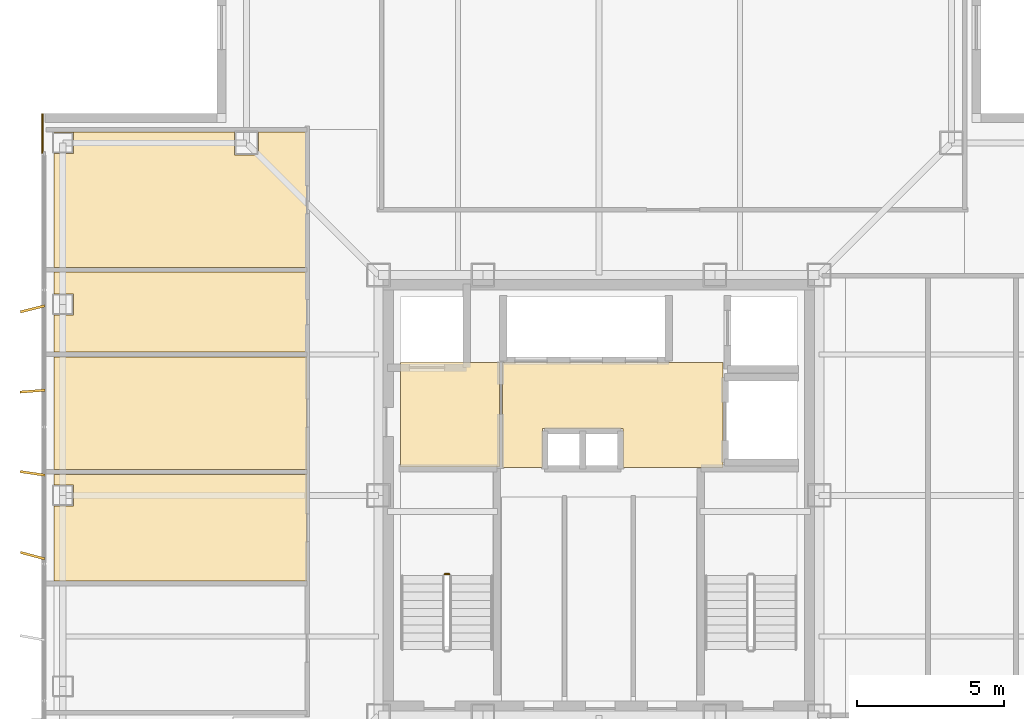
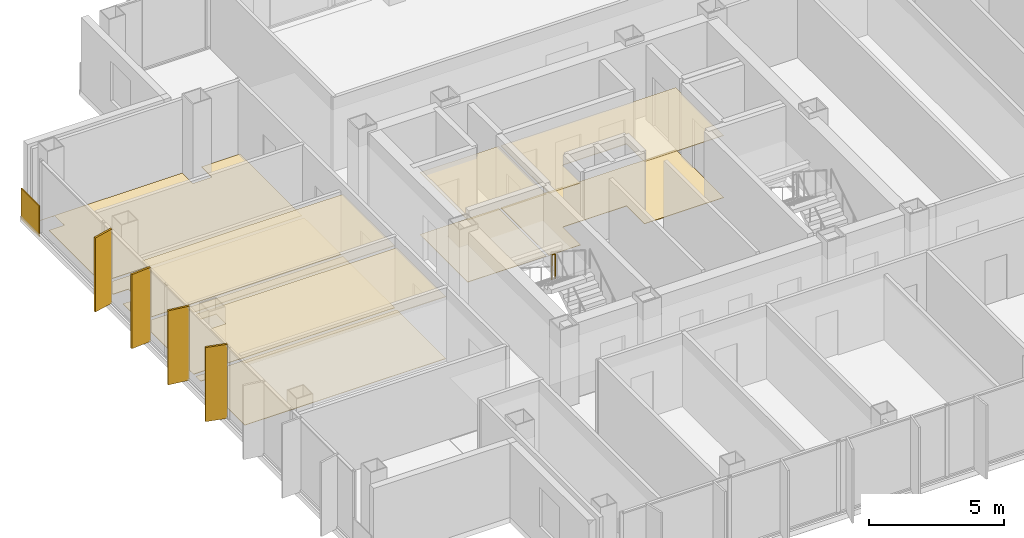
# One storey, part 12 of 15: 11 coverings, 4 shading devices, 1 railing.
"""IFC4 building model written with IfcOpenShell, lengths in metres."""

from ifc_helpers import new_model, si_unit, direction, frame, frame_2d, origin, origin_2d, place, context, subcontext, project, spatial, polyline, rectangle, circle, outline, extrude, material, layer, layer_set, type_object, element, save


model = new_model("IFC4")

# Units and contexts
model_context = context("Model", 3, precision=1e-05, world=origin(), true_north=direction((0.0, 1.0)))
body_context = subcontext(model_context, "Body", "Model", "MODEL_VIEW")
ifc_project = project(units=[si_unit("LENGTHUNIT", "METRE"), si_unit("AREAUNIT", "SQUARE_METRE"), si_unit("VOLUMEUNIT", "CUBIC_METRE"), si_unit("PLANEANGLEUNIT", "RADIAN"), si_unit("MASSUNIT", "GRAM", prefix="KILO")], contexts=[model_context])

# Site, building, storey
site_placement = place(None, origin())
site = spatial("IfcSite", under=ifc_project, at=site_placement, CompositionType="ELEMENT")
building_placement = place(site_placement, origin())
building = spatial("IfcBuilding", under=site, at=building_placement, Name="Trevonay Congress Spire", CompositionType="ELEMENT")
storey_placement = place(building_placement, frame((0.0, 0.0, 293.60009765625)))
storey = spatial("IfcBuildingStorey", under=building, at=storey_placement, Name="L77", CompositionType="ELEMENT", Elevation=293.60009765625)

# Coverings
ifc_material_1 = material(Name="Acoustic Mineral Fibre Board", Category="gypsum")
ifc_layer_1 = layer(ifc_material_1, 0.02490234375, Name="Acoustic Mineral Fibre Board")
ifc_layer_set_1 = layer_set([ifc_layer_1], Name="Acoustic Mineral Fibre Board")
covering_type_1 = type_object("IfcCoveringType", Name="COV-CEIL-ACOUSTIC", PredefinedType="CEILING", material=ifc_layer_set_1)
covering_1_placement = place(storey_placement, frame((0.0, 0.0, 2.809814453125)))
element("IfcCovering", 1, at=covering_1_placement, inside=storey, type_object=covering_type_1, Name="L77 Firefighting Lift Lobby West acoustic suspended ceiling", PredefinedType="CEILING", context=body_context, shape_type="SweptSolid", body=[
    extrude(outline(polyline([(-6.75, 0.9599609375), (-3.3798828125, 0.9599609375), (-3.3798828125, 4.52001953125), (-6.75, 4.52001953125), (-6.75, 0.9599609375)])), origin(), (0.0, 0.0, 1.0), 0.025146484375),
])
covering_2_placement = place(storey_placement, frame((0.0, 0.0, 2.809814453125)))
element("IfcCovering", 2, at=covering_2_placement, inside=storey, type_object=covering_type_1, Name="L77 Central and High-Rise Passenger Lift Lobby acoustic suspended ceiling", PredefinedType="CEILING", context=body_context, shape_type="SweptSolid", body=[
    extrude(outline(polyline([(-3.280029296875, 0.949951171875), (-1.919921875, 0.949951171875), (-1.919921875, 2.280029296875), (0.820068359375, 2.280029296875), (0.820068359375, 0.949951171875), (4.219970703125, 0.949951171875), (4.219970703125, 4.52001953125), (-3.280029296875, 4.52001953125), (-3.280029296875, 0.949951171875)])), origin(), (0.0, 0.0, 1.0), 0.025146484375),
])
covering_3_placement = place(storey_placement, frame((0.0, 0.0, 2.809814453125)))
element("IfcCovering", 3, at=covering_3_placement, inside=storey, type_object=covering_type_1, Name="L77 Champagne Aperitif Bar acoustic suspended ceiling", PredefinedType="CEILING", context=body_context, shape_type="SweptSolid", body=[
    extrude(outline(polyline([(-18.550048828125, 0.719970703125), (-9.929931640625, 0.719970703125), (-9.929931640625, -2.919921875), (-18.550048828125, -2.919921875), (-18.550048828125, -0.360107421875), (-17.889892578125, -0.360107421875), (-17.889892578125, 0.360107421875), (-18.550048828125, 0.360107421875), (-18.550048828125, 0.719970703125)])), origin(), (0.0, 0.0, 1.0), 0.025146484375),
])
covering_4_placement = place(storey_placement, frame((0.0, 0.0, 2.809814453125)))
element("IfcCovering", 4, at=covering_4_placement, inside=storey, type_object=covering_type_1, Name="L77 Cold Larder Kitchen acoustic suspended ceiling", PredefinedType="CEILING", context=body_context, shape_type="SweptSolid", body=[
    extrude(outline(polyline([(-18.550048828125, 0.8798828125), (-9.929931640625, 0.8798828125), (-9.929931640625, 4.719970703125), (-18.550048828125, 4.719970703125), (-18.550048828125, 0.8798828125)])), origin(), (0.0, 0.0, 1.0), 0.025146484375),
])
ifc_material_2 = material(Name="Polished Granite Floor Tile", Category="masonry")
ifc_layer_2 = layer(ifc_material_2, 0.02001953125, Name="Polished Granite Floor Tile")
ifc_layer_set_2 = layer_set([ifc_layer_2], Name="Polished Granite Floor Tile")
covering_type_2 = type_object("IfcCoveringType", Name="COV-FLOOR-STONE", PredefinedType="FLOORING", material=ifc_layer_set_2)
covering_5_placement = place(storey_placement, origin())
element("IfcCovering", 5, at=covering_5_placement, inside=storey, type_object=covering_type_2, Name="L77 Firefighting Lift Lobby West floor finish", PredefinedType="FLOORING", context=body_context, shape_type="SweptSolid", body=[
    extrude(outline(polyline([(-6.75, 0.9599609375), (-3.3798828125, 0.9599609375), (-3.3798828125, 4.52001953125), (-6.75, 4.52001953125), (-6.75, 0.9599609375)])), origin(), (0.0, 0.0, 1.0), 0.02001953125),
])
covering_6_placement = place(storey_placement, origin())
element("IfcCovering", 6, at=covering_6_placement, inside=storey, type_object=covering_type_2, Name="L77 Central and High-Rise Passenger Lift Lobby floor finish", PredefinedType="FLOORING", context=body_context, shape_type="SweptSolid", body=[
    extrude(outline(polyline([(-3.280029296875, 0.949951171875), (-1.919921875, 0.949951171875), (-1.919921875, 2.280029296875), (0.820068359375, 2.280029296875), (0.820068359375, 0.949951171875), (4.219970703125, 0.949951171875), (4.219970703125, 4.52001953125), (-3.280029296875, 4.52001953125), (-3.280029296875, 0.949951171875)])), origin(), (0.0, 0.0, 1.0), 0.02001953125),
])
covering_7_placement = place(storey_placement, origin())
element("IfcCovering", 7, at=covering_7_placement, inside=storey, type_object=covering_type_2, Name="L77 Champagne Aperitif Bar floor finish", PredefinedType="FLOORING", context=body_context, shape_type="SweptSolid", body=[
    extrude(outline(polyline([(-18.550048828125, 0.719970703125), (-9.929931640625, 0.719970703125), (-9.929931640625, -2.919921875), (-18.550048828125, -2.919921875), (-18.550048828125, -0.360107421875), (-17.889892578125, -0.360107421875), (-17.889892578125, 0.360107421875), (-18.550048828125, 0.360107421875), (-18.550048828125, 0.719970703125)])), origin(), (0.0, 0.0, 1.0), 0.02001953125),
])
covering_8_placement = place(storey_placement, origin())
element("IfcCovering", 8, at=covering_8_placement, inside=storey, type_object=covering_type_2, Name="L77 Cold Larder Kitchen floor finish", PredefinedType="FLOORING", context=body_context, shape_type="SweptSolid", body=[
    extrude(outline(polyline([(-18.550048828125, 0.8798828125), (-9.929931640625, 0.8798828125), (-9.929931640625, 4.719970703125), (-18.550048828125, 4.719970703125), (-18.550048828125, 0.8798828125)])), origin(), (0.0, 0.0, 1.0), 0.02001953125),
])
covering_9_placement = place(storey_placement, origin())
element("IfcCovering", 9, at=covering_9_placement, inside=storey, type_object=covering_type_2, Name="L77 Male Restroom WC floor finish", PredefinedType="FLOORING", context=body_context, shape_type="SweptSolid", body=[
    extrude(outline(polyline([(-18.550048828125, 7.60009765625), (-9.929931640625, 7.60009765625), (-9.929931640625, 4.8798828125), (-18.550048828125, 4.8798828125), (-18.550048828125, 6.139892578125), (-17.889892578125, 6.139892578125), (-17.889892578125, 6.860107421875), (-18.550048828125, 6.860107421875), (-18.550048828125, 7.60009765625)])), origin(), (0.0, 0.0, 1.0), 0.02001953125),
])
covering_10_placement = place(storey_placement, origin())
element("IfcCovering", 10, at=covering_10_placement, inside=storey, type_object=covering_type_2, Name="L77 Floor Supplies and Copy Room floor finish", PredefinedType="FLOORING", context=body_context, shape_type="SweptSolid", body=[
    extrude(outline(polyline([(-9.929931640625, 12.3701171875), (-9.929931640625, 7.760009765625), (-18.550048828125, 7.760009765625), (-18.550048828125, 11.639892578125), (-17.889892578125, 11.639892578125), (-17.889892578125, 12.360107421875), (-18.550048828125, 12.360107421875), (-18.550048828125, 12.3701171875), (-12.409912109375, 12.3701171875), (-12.409912109375, 11.590087890625), (-11.590087890625, 11.590087890625), (-11.590087890625, 12.3701171875), (-9.929931640625, 12.3701171875)])), origin(), (0.0, 0.0, 1.0), 0.02001953125),
])
ifc_material_3 = material(Name="Pale Anodised Aluminium EN AW-6063-T6", Category="aluminium")
ifc_layer_3 = layer(ifc_material_3, 0.0400390625, Name="Pale Anodised Aluminium EN AW-6063-T6")
ifc_layer_set_3 = layer_set([ifc_layer_3], Name="Pale Anodised Aluminium EN AW-6063-T6")
covering_type_3 = type_object("IfcCoveringType", Name="COV-SPANDREL-PALE-METAL", PredefinedType="CLADDING", material=ifc_layer_set_3)
covering_11_placement = place(storey_placement, frame((-18.93994140625, 11.64990234375, -0.150146484375), z_axis=(0.0, 0.0, 1.0), x_axis=(0.0, 1.0, 0.0)))
element("IfcCovering", 11, at=covering_11_placement, inside=storey, type_object=covering_type_3, Name="L77 NW corner pier spandrel cladding 1", PredefinedType="CLADDING", context=body_context, shape_type="SweptSolid", body=[
    extrude(rectangle(XDim=1.35009765625, YDim=0.0400390625, at=frame_2d((0.675048828125, 0.0))), origin(), (0.0, 0.0, 1.0), 1.400146484375),
])

# Railing
railing_type = type_object("IfcRailingType", Name="RAL-STAIR-GUARD-110", PredefinedType="GUARDRAIL", material=ifc_material_3)
railing_placement = place(storey_placement, frame((-5.10009765625, -2.679931640625, 1.7998046875)))
element("IfcRailing", 12, at=railing_placement, inside=storey, type_object=railing_type, Name="L77 ST-1 stair guard 2", PredefinedType="GUARDRAIL", context=body_context, shape_type="SweptSolid", body=[
    extrude(circle(Radius=0.02392578125, at=origin_2d()), frame((0.0, 0.0, 1.1259765625), z_axis=(-1.0, 0.0, 0.0), x_axis=(0.0, -1.0, 0.0)), (0.0, 0.0, 1.0), 0.14990234375),
    extrude(circle(Radius=0.02099609375, at=origin_2d()), origin(), (0.0, 0.0, 1.0), 1.101806640625),
    extrude(circle(Radius=0.02099609375, at=origin_2d()), frame((-0.14990234375, 0.0, 0.0)), (0.0, 0.0, 1.0), 1.101806640625),
])

# Shading devices
shading_device_type = type_object("IfcShadingDeviceType", Name="SHD-FIN-Z4-PALE-METAL", PredefinedType="USERDEFINED", material=ifc_material_3)
for number, where, z_axis, x_axis, name in (
    (13, (-19.280029296875, -2.050048828125, 0.0), (0.0, 0.0, 1.0), (0.258144638645, 0.966106280664, 0.0), "L77 W vertical pale-metal solar fin 4"),
    (14, (-19.280029296875, 0.75, 0.0), (0.0, 0.0, 1.0), (0.146946275799, 0.989144474801, 0.0), "L77 W vertical pale-metal solar fin 5"),
    (15, (-19.280029296875, 3.550048828125, 0.0), (0.0, 0.0, 1.0), (-0.077067060513, 0.997025911491, 0.0), "L77 W vertical pale-metal solar fin 6"),
    (16, (-19.280029296875, 6.35009765625, 0.0), (0.0, 0.0, 1.0), (-0.241244442494, 0.970464383152, 0.0), "L77 W vertical pale-metal solar fin 7"),
):
    element("IfcShadingDevice", number, at=place(storey_placement, frame(where, z_axis=z_axis, x_axis=x_axis)), inside=storey, type_object=shading_device_type, Name=name, ObjectType="SOLAR FIN", PredefinedType="USERDEFINED", context=body_context, shape_type="SweptSolid", body=[
        extrude(rectangle(XDim=0.080078125, YDim=0.85009765625, at=origin_2d()), origin(), (0.0, 0.0, 1.0), 3.360107421875),
    ])

save(model, "model.ifc")
